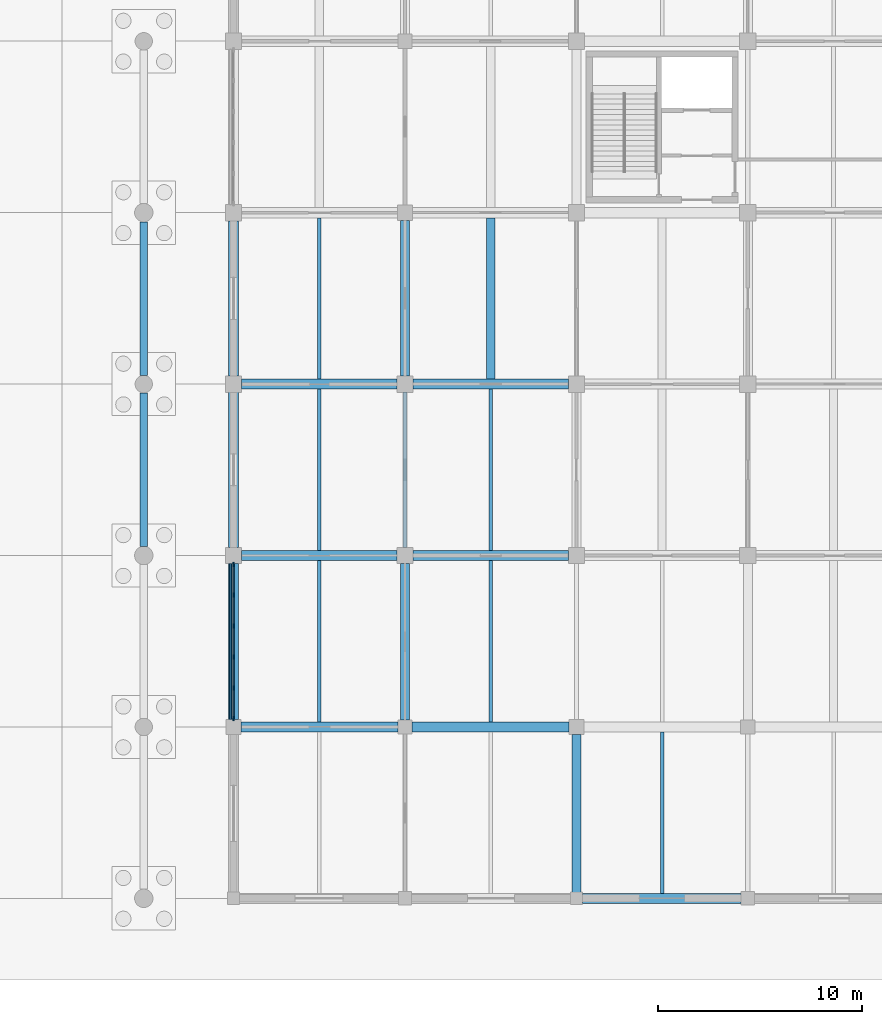
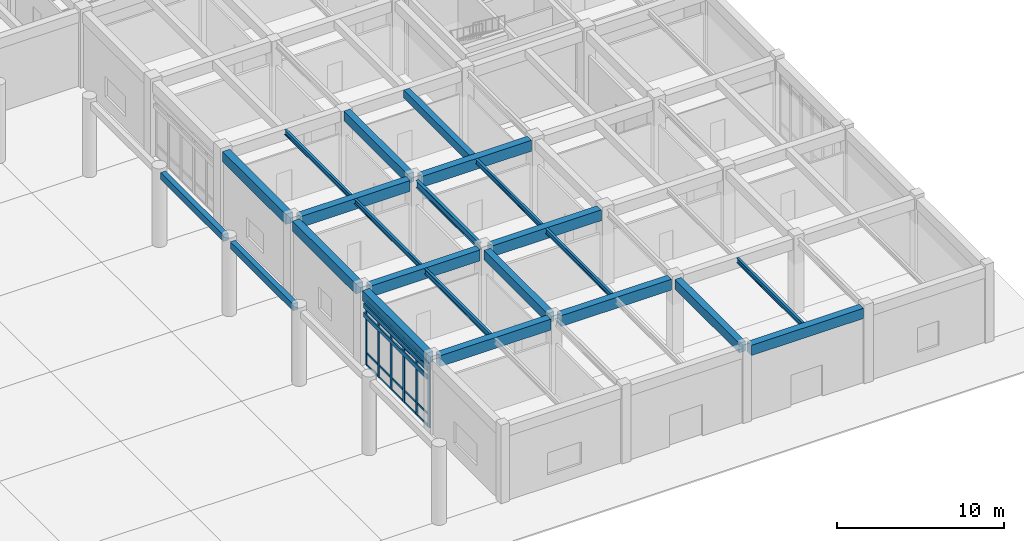
# One storey, part 33 of 91: 28 members, 23 beams, 1 element without a shape of its own.
"""IFC4 building model written with IfcOpenShell, lengths in metres."""

from ifc_helpers import new_model, si_unit, direction, frame, origin, origin_2d, place, context, subcontext, project, spatial, rectangle, i_section, extrude, material, layer, layer_set, material_profile, profile_set, type_object, element, aggregate, save


model = new_model("IFC4")

# Units and contexts
model_context = context("Model", 3, precision=1e-05, world=origin(), true_north=direction((0.0, 1.0)))
body_context = subcontext(model_context, "Body", "Model", "MODEL_VIEW")
ifc_project = project(units=[si_unit("LENGTHUNIT", "METRE"), si_unit("AREAUNIT", "SQUARE_METRE"), si_unit("VOLUMEUNIT", "CUBIC_METRE"), si_unit("PLANEANGLEUNIT", "RADIAN"), si_unit("MASSUNIT", "GRAM", prefix="KILO")], contexts=[model_context])

# Site, building, storey
site_placement = place(None, origin())
site = spatial("IfcSite", under=ifc_project, at=site_placement, CompositionType="ELEMENT")
building_placement = place(site_placement, origin())
building = spatial("IfcBuilding", under=site, at=building_placement, Name="Porcellanite Civic Hall", CompositionType="ELEMENT")
storey_placement = place(building_placement, origin())
storey = spatial("IfcBuildingStorey", under=building, at=storey_placement, Name="L00", CompositionType="ELEMENT", Elevation=0.0)

# Beams
ifc_material_1 = material(Name="Concrete N50 (50 MPa)", Category="concrete")
ifc_material_profile_1 = material_profile(ifc_material_1, rectangle(XDim=0.39990234375, YDim=0.60009765625, at=origin_2d()), Name="RC-400x600")
ifc_profile_set_1 = profile_set([ifc_material_profile_1], Name="Concrete N50 (50 MPa)")
beam_type_1 = type_object("IfcBeamType", Name="BM-RC600", PredefinedType="JOIST", material=ifc_profile_set_1)
beam_1_placement = place(storey_placement, frame((155.39990234375, 25.449462890625, 5.199951171875), z_axis=(0.0, 1.0, 0.0), x_axis=(-1.0, 0.0, 0.0)))
element("IfcBeam", 1, at=beam_1_placement, inside=storey, type_object=beam_type_1, Name="Secondary joist L00 19-4", PredefinedType="JOIST", context=body_context, shape_type="SweptSolid", body=[
    extrude(rectangle(XDim=0.39990234375, YDim=0.60009765625, at=origin_2d()), origin(), (0.0, 0.0, 1.0), 7.901123046875),
])
ifc_material_2 = material(Name="Concrete N50 (50 MPa)", Category="concrete")
ifc_material_profile_2 = material_profile(ifc_material_2, rectangle(XDim=0.449951171875, YDim=0.699951171875, at=origin_2d()), Name="RC-450x700")
ifc_profile_set_2 = profile_set([ifc_material_profile_2], Name="Concrete N50 (50 MPa)")
beam_type_2 = type_object("IfcBeamType", Name="BM-RC700", PredefinedType="BEAM", material=ifc_profile_set_2)
beam_2_placement = place(storey_placement, frame((151.199951171875, 8.74951171875, 5.14990234375), z_axis=(0.0, 1.0, 0.0), x_axis=(-1.0, 0.0, 0.0)))
element("IfcBeam", 2, at=beam_2_placement, inside=storey, type_object=beam_type_2, Name="Beam Y L00 19-2", PredefinedType="BEAM", context=body_context, shape_type="SweptSolid", body=[
    extrude(rectangle(XDim=0.449951171875, YDim=0.699951171875, at=origin_2d()), origin(), (0.0, 0.0, 1.0), 7.65087890625),
])
beam_3_placement = place(storey_placement, frame((151.199951171875, 25.599609375, 5.14990234375), z_axis=(0.0, 1.0, 0.0), x_axis=(-1.0, 0.0, 0.0)))
element("IfcBeam", 3, at=beam_3_placement, inside=storey, type_object=beam_type_2, Name="Beam Y L00 19-4", PredefinedType="BEAM", context=body_context, shape_type="SweptSolid", body=[
    extrude(rectangle(XDim=0.449951171875, YDim=0.699951171875, at=origin_2d()), origin(), (0.0, 0.0, 1.0), 7.6259765625),
])
beam_4_placement = place(storey_placement, frame((159.60009765625, 0.299560546875, 5.14990234375), z_axis=(0.0, 1.0, 0.0), x_axis=(-1.0, 0.0, 0.0)))
element("IfcBeam", 4, at=beam_4_placement, inside=storey, type_object=beam_type_2, Name="Beam Y L00 20-1", PredefinedType="BEAM", context=body_context, shape_type="SweptSolid", body=[
    extrude(rectangle(XDim=0.449951171875, YDim=0.699951171875, at=origin_2d()), origin(), (0.0, 0.0, 1.0), 7.725830078125),
])
ifc_material_3 = material(Name="Concrete N50 (50 MPa)", Category="concrete")
ifc_material_profile_3 = material_profile(ifc_material_3, rectangle(XDim=0.5, YDim=0.75, at=origin_2d()), Name="RC-500x750")
ifc_profile_set_3 = profile_set([ifc_material_profile_3], Name="Concrete N50 (50 MPa)")
beam_type_3 = type_object("IfcBeamType", Name="BM-RC750", PredefinedType="SPANDREL", material=ifc_profile_set_3)
beam_5_placement = place(storey_placement, frame((159.8994140625, 0.0, 5.125), z_axis=(1.0, 0.0, 0.0), x_axis=(0.0, 1.0, 0.0)))
element("IfcBeam", 5, at=beam_5_placement, inside=storey, type_object=beam_type_3, Name="Beam X L00 20-1", PredefinedType="SPANDREL", context=body_context, shape_type="SweptSolid", body=[
    extrude(rectangle(XDim=0.5, YDim=0.75, at=origin_2d()), origin(), (0.0, 0.0, 1.0), 7.776123046875),
])
beam_6_placement = place(storey_placement, frame((142.800048828125, 8.7744140625, 5.125), z_axis=(0.0, 1.0, 0.0), x_axis=(-1.0, 0.0, 0.0)))
element("IfcBeam", 6, at=beam_6_placement, inside=storey, type_object=beam_type_3, Name="Beam Y L00 18-2", PredefinedType="SPANDREL", context=body_context, shape_type="SweptSolid", body=[
    extrude(rectangle(XDim=0.5, YDim=0.75, at=origin_2d()), origin(), (0.0, 0.0, 1.0), 7.6259765625),
])
beam_7_placement = place(storey_placement, frame((142.800048828125, 17.199462890625, 5.125), z_axis=(0.0, 1.0, 0.0), x_axis=(-1.0, 0.0, 0.0)))
element("IfcBeam", 7, at=beam_7_placement, inside=storey, type_object=beam_type_3, Name="Beam Y L00 18-3", PredefinedType="SPANDREL", context=body_context, shape_type="SweptSolid", body=[
    extrude(rectangle(XDim=0.5, YDim=0.75, at=origin_2d()), origin(), (0.0, 0.0, 1.0), 7.60107421875),
])
beam_8_placement = place(storey_placement, frame((142.800048828125, 25.599609375, 5.125), z_axis=(0.0, 1.0, 0.0), x_axis=(-1.0, 0.0, 0.0)))
element("IfcBeam", 8, at=beam_8_placement, inside=storey, type_object=beam_type_3, Name="Beam Y L00 18-4", PredefinedType="SPANDREL", context=body_context, shape_type="SweptSolid", body=[
    extrude(rectangle(XDim=0.5, YDim=0.75, at=origin_2d()), origin(), (0.0, 0.0, 1.0), 7.600830078125),
])
ifc_material_4 = material(Name="Concrete N50 (50 MPa)", Category="concrete")
ifc_material_profile_4 = material_profile(ifc_material_4, rectangle(XDim=0.5, YDim=0.800048828125, at=origin_2d()), Name="RC-500x800")
ifc_profile_set_4 = profile_set([ifc_material_profile_4], Name="Concrete N50 (50 MPa)")
beam_type_4 = type_object("IfcBeamType", Name="BM-RC800", PredefinedType="BEAM", material=ifc_profile_set_4)
beam_9_placement = place(storey_placement, frame((143.174560546875, 8.39990234375, 5.10009765625), z_axis=(1.0, 0.0, 0.0), x_axis=(0.0, 1.0, 0.0)))
element("IfcBeam", 9, at=beam_9_placement, inside=storey, type_object=beam_type_4, Name="Beam X L00 18-2", PredefinedType="BEAM", context=body_context, shape_type="SweptSolid", body=[
    extrude(rectangle(XDim=0.5, YDim=0.800048828125, at=origin_2d()), origin(), (0.0, 0.0, 1.0), 7.676025390625),
])
for number, where, z_axis, x_axis, name in (
    (10, (143.199462890625, 16.800048828125, 5.10009765625), (1.0, 0.0, 0.0), (0.0, 1.0, 0.0), "Beam X L00 18-3"),
    (11, (143.199462890625, 25.199951171875, 5.10009765625), (1.0, 0.0, 0.0), (0.0, 1.0, 0.0), "Beam X L00 18-4"),
):
    element("IfcBeam", number, at=place(storey_placement, frame(where, z_axis=z_axis, x_axis=x_axis)), inside=storey, type_object=beam_type_4, Name=name, PredefinedType="BEAM", context=body_context, shape_type="SweptSolid", body=[
        extrude(rectangle(XDim=0.5, YDim=0.800048828125, at=origin_2d()), origin(), (0.0, 0.0, 1.0), 7.60107421875),
    ])
beam_10_placement = place(storey_placement, frame((151.549560546875, 8.39990234375, 5.10009765625), z_axis=(1.0, 0.0, 0.0), x_axis=(0.0, 1.0, 0.0)))
element("IfcBeam", 12, at=beam_10_placement, inside=storey, type_object=beam_type_4, Name="Beam X L00 19-2", PredefinedType="BEAM", context=body_context, shape_type="SweptSolid", body=[
    extrude(rectangle(XDim=0.5, YDim=0.800048828125, at=origin_2d()), origin(), (0.0, 0.0, 1.0), 7.676025390625),
])
for number, where, z_axis, x_axis, name in (
    (13, (151.599609375, 16.800048828125, 5.10009765625), (1.0, 0.0, 0.0), (0.0, 1.0, 0.0), "Beam X L00 19-3"),
    (14, (151.599609375, 25.199951171875, 5.10009765625), (1.0, 0.0, 0.0), (0.0, 1.0, 0.0), "Beam X L00 19-4"),
):
    element("IfcBeam", number, at=place(storey_placement, frame(where, z_axis=z_axis, x_axis=x_axis)), inside=storey, type_object=beam_type_4, Name=name, PredefinedType="BEAM", context=body_context, shape_type="SweptSolid", body=[
        extrude(rectangle(XDim=0.5, YDim=0.800048828125, at=origin_2d()), origin(), (0.0, 0.0, 1.0), 7.600830078125),
    ])

# Curtain wall, members
ifc_material_5 = material(Name="Anodised aluminium and solar laminated glass", Category="aluminium")
ifc_layer = layer(ifc_material_5, 0.179931640625)
ifc_layer_set = layer_set([ifc_layer], Name="Anodised aluminium and solar laminated glass")
curtain_wall_type = type_object("IfcCurtainWallType", Name="CW-SYS02", PredefinedType="NOTDEFINED", material=ifc_layer_set)
curtain_wall_placement = place(storey_placement, origin())
curtain_wall = element("IfcCurtainWall", 15, at=curtain_wall_placement, inside=storey, type_object=curtain_wall_type, Name="Curtain wall CW-049", PredefinedType="NOTDEFINED")
ifc_material_6 = material(Name="Anodised aluminium 6063-T6", Category="aluminium")
ifc_material_profile_5 = material_profile(ifc_material_6, rectangle(XDim=0.074951171875, YDim=0.219970703125, at=origin_2d()), Name="AL-75x220")
ifc_profile_set_5 = profile_set([ifc_material_profile_5], Name="Anodised aluminium 6063-T6")
member_type_1 = type_object("IfcMemberType", Name="CWM-03", PredefinedType="MULLION", material=ifc_profile_set_5)
member_1_placement = place(storey_placement, frame((142.800048828125, 8.8134765625, 0.0), z_axis=(0.0, 0.0, 1.0), x_axis=(-1.0, 0.0, 0.0)))
member_1 = element("IfcMember", 16, at=member_1_placement, type_object=member_type_1, Name="CW-049 mullion 1", PredefinedType="MULLION", context=body_context, shape_type="SweptSolid", body=[
    extrude(rectangle(XDim=0.074951171875, YDim=0.219970703125, at=origin_2d()), origin(), (0.0, 0.0, 1.0), 4.699951171875),
])
member_2_placement = place(storey_placement, frame((142.800048828125, 10.300537109375, 0.0), z_axis=(0.0, 0.0, 1.0), x_axis=(-1.0, 0.0, 0.0)))
member_2 = element("IfcMember", 17, at=member_2_placement, type_object=member_type_1, Name="CW-049 mullion 2", PredefinedType="MULLION", context=body_context, shape_type="SweptSolid", body=[
    extrude(rectangle(XDim=0.074951171875, YDim=0.219970703125, at=origin_2d()), origin(), (0.0, 0.0, 1.0), 4.699951171875),
])
member_3_placement = place(storey_placement, frame((142.800048828125, 11.8251953125, 0.0), z_axis=(0.0, 0.0, 1.0), x_axis=(-1.0, 0.0, 0.0)))
member_3 = element("IfcMember", 18, at=member_3_placement, type_object=member_type_1, Name="CW-049 mullion 3", PredefinedType="MULLION", context=body_context, shape_type="SweptSolid", body=[
    extrude(rectangle(XDim=0.074951171875, YDim=0.219970703125, at=origin_2d()), origin(), (0.0, 0.0, 1.0), 4.699951171875),
])
member_4_placement = place(storey_placement, frame((142.800048828125, 13.349853515625, 0.0), z_axis=(0.0, 0.0, 1.0), x_axis=(-1.0, 0.0, 0.0)))
member_4 = element("IfcMember", 19, at=member_4_placement, type_object=member_type_1, Name="CW-049 mullion 4", PredefinedType="MULLION", context=body_context, shape_type="SweptSolid", body=[
    extrude(rectangle(XDim=0.074951171875, YDim=0.219970703125, at=origin_2d()), origin(), (0.0, 0.0, 1.0), 4.699951171875),
])
member_5_placement = place(storey_placement, frame((142.800048828125, 14.87451171875, 0.0), z_axis=(0.0, 0.0, 1.0), x_axis=(-1.0, 0.0, 0.0)))
member_5 = element("IfcMember", 20, at=member_5_placement, type_object=member_type_1, Name="CW-049 mullion 5", PredefinedType="MULLION", context=body_context, shape_type="SweptSolid", body=[
    extrude(rectangle(XDim=0.074951171875, YDim=0.219970703125, at=origin_2d()), origin(), (0.0, 0.0, 1.0), 4.699951171875),
])
member_6_placement = place(storey_placement, frame((142.800048828125, 16.361572265625, 0.0), z_axis=(0.0, 0.0, 1.0), x_axis=(-1.0, 0.0, 0.0)))
member_6 = element("IfcMember", 21, at=member_6_placement, type_object=member_type_1, Name="CW-049 mullion 6", PredefinedType="MULLION", context=body_context, shape_type="SweptSolid", body=[
    extrude(rectangle(XDim=0.074951171875, YDim=0.219970703125, at=origin_2d()), origin(), (0.0, 0.0, 1.0), 4.699951171875),
])
ifc_material_7 = material(Name="Anodised aluminium 6063-T6", Category="aluminium")
ifc_material_profile_6 = material_profile(ifc_material_7, rectangle(XDim=0.06494140625, YDim=0.14990234375, at=origin_2d()), Name="AL-65x150")
ifc_profile_set_6 = profile_set([ifc_material_profile_6], Name="Anodised aluminium 6063-T6")
member_type_2 = type_object("IfcMemberType", Name="CWT-02", PredefinedType="USERDEFINED", material=ifc_profile_set_6)
member_7_placement = place(storey_placement, frame((142.800048828125, 8.85107421875, 0.032470703125), z_axis=(0.0, 1.0, 0.0), x_axis=(-1.0, 0.0, 0.0)))
member_7 = element("IfcMember", 22, at=member_7_placement, type_object=member_type_2, Name="CW-049 transom 1.1", ObjectType="TRANSOM", PredefinedType="USERDEFINED", context=body_context, shape_type="SweptSolid", body=[
    extrude(rectangle(XDim=0.06494140625, YDim=0.14990234375, at=origin_2d()), origin(), (0.0, 0.0, 1.0), 1.412109375),
])
member_8_placement = place(storey_placement, frame((142.800048828125, 8.85107421875, 0.89990234375), z_axis=(0.0, 1.0, 0.0), x_axis=(-1.0, 0.0, 0.0)))
member_8 = element("IfcMember", 23, at=member_8_placement, type_object=member_type_2, Name="CW-049 transom 1.2", ObjectType="TRANSOM", PredefinedType="USERDEFINED", context=body_context, shape_type="SweptSolid", body=[
    extrude(rectangle(XDim=0.06494140625, YDim=0.14990234375, at=origin_2d()), origin(), (0.0, 0.0, 1.0), 1.412109375),
])
member_9_placement = place(storey_placement, frame((142.800048828125, 8.85107421875, 4.050048828125), z_axis=(0.0, 1.0, 0.0), x_axis=(-1.0, 0.0, 0.0)))
member_9 = element("IfcMember", 24, at=member_9_placement, type_object=member_type_2, Name="CW-049 transom 1.3", ObjectType="TRANSOM", PredefinedType="USERDEFINED", context=body_context, shape_type="SweptSolid", body=[
    extrude(rectangle(XDim=0.06494140625, YDim=0.14990234375, at=origin_2d()), origin(), (0.0, 0.0, 1.0), 1.412109375),
])
member_10_placement = place(storey_placement, frame((142.800048828125, 8.85107421875, 4.66748046875), z_axis=(0.0, 1.0, 0.0), x_axis=(-1.0, 0.0, 0.0)))
member_10 = element("IfcMember", 25, at=member_10_placement, type_object=member_type_2, Name="CW-049 transom 1.4", ObjectType="TRANSOM", PredefinedType="USERDEFINED", context=body_context, shape_type="SweptSolid", body=[
    extrude(rectangle(XDim=0.06494140625, YDim=0.14990234375, at=origin_2d()), origin(), (0.0, 0.0, 1.0), 1.412109375),
])
member_11_placement = place(storey_placement, frame((142.800048828125, 10.338134765625, 0.032470703125), z_axis=(0.0, 1.0, 0.0), x_axis=(-1.0, 0.0, 0.0)))
member_11 = element("IfcMember", 26, at=member_11_placement, type_object=member_type_2, Name="CW-049 transom 2.1", ObjectType="TRANSOM", PredefinedType="USERDEFINED", context=body_context, shape_type="SweptSolid", body=[
    extrude(rectangle(XDim=0.06494140625, YDim=0.14990234375, at=origin_2d()), origin(), (0.0, 0.0, 1.0), 1.449462890625),
])
member_12_placement = place(storey_placement, frame((142.800048828125, 10.338134765625, 0.89990234375), z_axis=(0.0, 1.0, 0.0), x_axis=(-1.0, 0.0, 0.0)))
member_12 = element("IfcMember", 27, at=member_12_placement, type_object=member_type_2, Name="CW-049 transom 2.2", ObjectType="TRANSOM", PredefinedType="USERDEFINED", context=body_context, shape_type="SweptSolid", body=[
    extrude(rectangle(XDim=0.06494140625, YDim=0.14990234375, at=origin_2d()), origin(), (0.0, 0.0, 1.0), 1.449462890625),
])
member_13_placement = place(storey_placement, frame((142.800048828125, 10.338134765625, 4.050048828125), z_axis=(0.0, 1.0, 0.0), x_axis=(-1.0, 0.0, 0.0)))
member_13 = element("IfcMember", 28, at=member_13_placement, type_object=member_type_2, Name="CW-049 transom 2.3", ObjectType="TRANSOM", PredefinedType="USERDEFINED", context=body_context, shape_type="SweptSolid", body=[
    extrude(rectangle(XDim=0.06494140625, YDim=0.14990234375, at=origin_2d()), origin(), (0.0, 0.0, 1.0), 1.449462890625),
])
member_14_placement = place(storey_placement, frame((142.800048828125, 10.338134765625, 4.66748046875), z_axis=(0.0, 1.0, 0.0), x_axis=(-1.0, 0.0, 0.0)))
member_14 = element("IfcMember", 29, at=member_14_placement, type_object=member_type_2, Name="CW-049 transom 2.4", ObjectType="TRANSOM", PredefinedType="USERDEFINED", context=body_context, shape_type="SweptSolid", body=[
    extrude(rectangle(XDim=0.06494140625, YDim=0.14990234375, at=origin_2d()), origin(), (0.0, 0.0, 1.0), 1.449462890625),
])
member_15_placement = place(storey_placement, frame((142.800048828125, 11.86279296875, 0.032470703125), z_axis=(0.0, 1.0, 0.0), x_axis=(-1.0, 0.0, 0.0)))
member_15 = element("IfcMember", 30, at=member_15_placement, type_object=member_type_2, Name="CW-049 transom 3.1", ObjectType="TRANSOM", PredefinedType="USERDEFINED", context=body_context, shape_type="SweptSolid", body=[
    extrude(rectangle(XDim=0.06494140625, YDim=0.14990234375, at=origin_2d()), origin(), (0.0, 0.0, 1.0), 1.449462890625),
])
member_16_placement = place(storey_placement, frame((142.800048828125, 11.86279296875, 0.89990234375), z_axis=(0.0, 1.0, 0.0), x_axis=(-1.0, 0.0, 0.0)))
member_16 = element("IfcMember", 31, at=member_16_placement, type_object=member_type_2, Name="CW-049 transom 3.2", ObjectType="TRANSOM", PredefinedType="USERDEFINED", context=body_context, shape_type="SweptSolid", body=[
    extrude(rectangle(XDim=0.06494140625, YDim=0.14990234375, at=origin_2d()), origin(), (0.0, 0.0, 1.0), 1.449462890625),
])
member_17_placement = place(storey_placement, frame((142.800048828125, 11.86279296875, 4.050048828125), z_axis=(0.0, 1.0, 0.0), x_axis=(-1.0, 0.0, 0.0)))
member_17 = element("IfcMember", 32, at=member_17_placement, type_object=member_type_2, Name="CW-049 transom 3.3", ObjectType="TRANSOM", PredefinedType="USERDEFINED", context=body_context, shape_type="SweptSolid", body=[
    extrude(rectangle(XDim=0.06494140625, YDim=0.14990234375, at=origin_2d()), origin(), (0.0, 0.0, 1.0), 1.449462890625),
])
member_18_placement = place(storey_placement, frame((142.800048828125, 11.86279296875, 4.66748046875), z_axis=(0.0, 1.0, 0.0), x_axis=(-1.0, 0.0, 0.0)))
member_18 = element("IfcMember", 33, at=member_18_placement, type_object=member_type_2, Name="CW-049 transom 3.4", ObjectType="TRANSOM", PredefinedType="USERDEFINED", context=body_context, shape_type="SweptSolid", body=[
    extrude(rectangle(XDim=0.06494140625, YDim=0.14990234375, at=origin_2d()), origin(), (0.0, 0.0, 1.0), 1.449462890625),
])
member_19_placement = place(storey_placement, frame((142.800048828125, 13.38720703125, 0.032470703125), z_axis=(0.0, 1.0, 0.0), x_axis=(-1.0, 0.0, 0.0)))
member_19 = element("IfcMember", 34, at=member_19_placement, type_object=member_type_2, Name="CW-049 transom 4.1", ObjectType="TRANSOM", PredefinedType="USERDEFINED", context=body_context, shape_type="SweptSolid", body=[
    extrude(rectangle(XDim=0.06494140625, YDim=0.14990234375, at=origin_2d()), origin(), (0.0, 0.0, 1.0), 1.44970703125),
])
member_20_placement = place(storey_placement, frame((142.800048828125, 13.38720703125, 0.89990234375), z_axis=(0.0, 1.0, 0.0), x_axis=(-1.0, 0.0, 0.0)))
member_20 = element("IfcMember", 35, at=member_20_placement, type_object=member_type_2, Name="CW-049 transom 4.2", ObjectType="TRANSOM", PredefinedType="USERDEFINED", context=body_context, shape_type="SweptSolid", body=[
    extrude(rectangle(XDim=0.06494140625, YDim=0.14990234375, at=origin_2d()), origin(), (0.0, 0.0, 1.0), 1.44970703125),
])
member_21_placement = place(storey_placement, frame((142.800048828125, 13.38720703125, 4.050048828125), z_axis=(0.0, 1.0, 0.0), x_axis=(-1.0, 0.0, 0.0)))
member_21 = element("IfcMember", 36, at=member_21_placement, type_object=member_type_2, Name="CW-049 transom 4.3", ObjectType="TRANSOM", PredefinedType="USERDEFINED", context=body_context, shape_type="SweptSolid", body=[
    extrude(rectangle(XDim=0.06494140625, YDim=0.14990234375, at=origin_2d()), origin(), (0.0, 0.0, 1.0), 1.44970703125),
])
member_22_placement = place(storey_placement, frame((142.800048828125, 13.38720703125, 4.66748046875), z_axis=(0.0, 1.0, 0.0), x_axis=(-1.0, 0.0, 0.0)))
member_22 = element("IfcMember", 37, at=member_22_placement, type_object=member_type_2, Name="CW-049 transom 4.4", ObjectType="TRANSOM", PredefinedType="USERDEFINED", context=body_context, shape_type="SweptSolid", body=[
    extrude(rectangle(XDim=0.06494140625, YDim=0.14990234375, at=origin_2d()), origin(), (0.0, 0.0, 1.0), 1.44970703125),
])
member_23_placement = place(storey_placement, frame((142.800048828125, 14.911865234375, 0.032470703125), z_axis=(0.0, 1.0, 0.0), x_axis=(-1.0, 0.0, 0.0)))
member_23 = element("IfcMember", 38, at=member_23_placement, type_object=member_type_2, Name="CW-049 transom 5.1", ObjectType="TRANSOM", PredefinedType="USERDEFINED", context=body_context, shape_type="SweptSolid", body=[
    extrude(rectangle(XDim=0.06494140625, YDim=0.14990234375, at=origin_2d()), origin(), (0.0, 0.0, 1.0), 1.412109375),
])
member_24_placement = place(storey_placement, frame((142.800048828125, 14.911865234375, 0.89990234375), z_axis=(0.0, 1.0, 0.0), x_axis=(-1.0, 0.0, 0.0)))
member_24 = element("IfcMember", 39, at=member_24_placement, type_object=member_type_2, Name="CW-049 transom 5.2", ObjectType="TRANSOM", PredefinedType="USERDEFINED", context=body_context, shape_type="SweptSolid", body=[
    extrude(rectangle(XDim=0.06494140625, YDim=0.14990234375, at=origin_2d()), origin(), (0.0, 0.0, 1.0), 1.412109375),
])
member_25_placement = place(storey_placement, frame((142.800048828125, 14.911865234375, 4.050048828125), z_axis=(0.0, 1.0, 0.0), x_axis=(-1.0, 0.0, 0.0)))
member_25 = element("IfcMember", 40, at=member_25_placement, type_object=member_type_2, Name="CW-049 transom 5.3", ObjectType="TRANSOM", PredefinedType="USERDEFINED", context=body_context, shape_type="SweptSolid", body=[
    extrude(rectangle(XDim=0.06494140625, YDim=0.14990234375, at=origin_2d()), origin(), (0.0, 0.0, 1.0), 1.412109375),
])
member_26_placement = place(storey_placement, frame((142.800048828125, 14.911865234375, 4.66748046875), z_axis=(0.0, 1.0, 0.0), x_axis=(-1.0, 0.0, 0.0)))
member_26 = element("IfcMember", 41, at=member_26_placement, type_object=member_type_2, Name="CW-049 transom 5.4", ObjectType="TRANSOM", PredefinedType="USERDEFINED", context=body_context, shape_type="SweptSolid", body=[
    extrude(rectangle(XDim=0.06494140625, YDim=0.14990234375, at=origin_2d()), origin(), (0.0, 0.0, 1.0), 1.412109375),
])
aggregate(curtain_wall, [member_1, member_2, member_3, member_4, member_5, member_6, member_7, member_8, member_9, member_10, member_11, member_12, member_13, member_14, member_15, member_16, member_17, member_18, member_19, member_20, member_21, member_22, member_23, member_24, member_25, member_26])

# Beams
ifc_material_8 = material(Name="Steel Grade 350", Category="steel")
ifc_material_profile_7 = material_profile(ifc_material_8, i_section(OverallWidth=0.1708984375, OverallDepth=0.35595703125, WebThickness=0.00732421875, FlangeThickness=0.011474609375, FilletRadius=0.011474609375, at=origin_2d()), Name="360UB50.7")
ifc_profile_set_7 = profile_set([ifc_material_profile_7], Name="Steel Grade 350")
beam_type_5 = type_object("IfcBeamType", Name="JST-360UB51", PredefinedType="JOIST", material=ifc_profile_set_7)
beam_11_placement = place(storey_placement, frame((147.0, 25.449462890625, 5.322021484375), z_axis=(0.0, 1.0, 0.0), x_axis=(-1.0, 0.0, 0.0)))
element("IfcBeam", 42, at=beam_11_placement, inside=storey, type_object=beam_type_5, Name="Secondary joist L00 18-4", PredefinedType="JOIST", context=body_context, shape_type="SweptSolid", body=[
    extrude(i_section(OverallWidth=0.1708984375, OverallDepth=0.35595703125, WebThickness=0.00732421875, FlangeThickness=0.011474609375, FilletRadius=0.011474609375, at=origin_2d()), origin(), (0.0, 0.0, 1.0), 7.901123046875),
])
beam_12_placement = place(storey_placement, frame((155.39990234375, 17.049560546875, 5.322021484375), z_axis=(0.0, 1.0, 0.0), x_axis=(-1.0, 0.0, 0.0)))
element("IfcBeam", 43, at=beam_12_placement, inside=storey, type_object=beam_type_5, Name="Secondary joist L00 19-3", PredefinedType="JOIST", context=body_context, shape_type="SweptSolid", body=[
    extrude(i_section(OverallWidth=0.1708984375, OverallDepth=0.35595703125, WebThickness=0.00732421875, FlangeThickness=0.011474609375, FilletRadius=0.011474609375, at=origin_2d()), origin(), (0.0, 0.0, 1.0), 7.90087890625),
])
ifc_material_9 = material(Name="Steel Grade 350", Category="steel")
ifc_material_profile_8 = material_profile(ifc_material_9, i_section(OverallWidth=0.172119140625, OverallDepth=0.35888671875, WebThickness=0.008056640625, FlangeThickness=0.012939453125, FilletRadius=0.011474609375, at=origin_2d()), Name="360UB56.7")
ifc_profile_set_8 = profile_set([ifc_material_profile_8], Name="Steel Grade 350")
beam_type_6 = type_object("IfcBeamType", Name="JST-360UB57", PredefinedType="JOIST", material=ifc_profile_set_8)
beam_13_placement = place(storey_placement, frame((147.0, 17.049560546875, 5.320556640625), z_axis=(0.0, 1.0, 0.0), x_axis=(-1.0, 0.0, 0.0)))
element("IfcBeam", 44, at=beam_13_placement, inside=storey, type_object=beam_type_6, Name="Secondary joist L00 18-3", PredefinedType="JOIST", context=body_context, shape_type="SweptSolid", body=[
    extrude(i_section(OverallWidth=0.172119140625, OverallDepth=0.35888671875, WebThickness=0.008056640625, FlangeThickness=0.012939453125, FilletRadius=0.011474609375, at=origin_2d()), origin(), (0.0, 0.0, 1.0), 7.90087890625),
])
beam_14_placement = place(storey_placement, frame((155.39990234375, 8.6494140625, 5.320556640625), z_axis=(0.0, 1.0, 0.0), x_axis=(-1.0, 0.0, 0.0)))
element("IfcBeam", 45, at=beam_14_placement, inside=storey, type_object=beam_type_6, Name="Secondary joist L00 19-2", PredefinedType="JOIST", context=body_context, shape_type="SweptSolid", body=[
    extrude(i_section(OverallWidth=0.172119140625, OverallDepth=0.35888671875, WebThickness=0.008056640625, FlangeThickness=0.012939453125, FilletRadius=0.011474609375, at=origin_2d()), origin(), (0.0, 0.0, 1.0), 7.901123046875),
])
beam_15_placement = place(storey_placement, frame((163.800048828125, 0.24951171875, 5.320556640625), z_axis=(0.0, 1.0, 0.0), x_axis=(-1.0, 0.0, 0.0)))
element("IfcBeam", 46, at=beam_15_placement, inside=storey, type_object=beam_type_6, Name="Secondary joist L00 20-1", PredefinedType="JOIST", context=body_context, shape_type="SweptSolid", body=[
    extrude(i_section(OverallWidth=0.172119140625, OverallDepth=0.35888671875, WebThickness=0.008056640625, FlangeThickness=0.012939453125, FilletRadius=0.011474609375, at=origin_2d()), origin(), (0.0, 0.0, 1.0), 7.90087890625),
])
ifc_material_10 = material(Name="Steel Grade 350", Category="steel")
ifc_material_profile_9 = material_profile(ifc_material_10, i_section(OverallWidth=0.177978515625, OverallDepth=0.403076171875, WebThickness=0.007568359375, FlangeThickness=0.010986328125, FilletRadius=0.011474609375, at=origin_2d()), Name="410UB53.7")
ifc_profile_set_9 = profile_set([ifc_material_profile_9], Name="Steel Grade 350")
beam_type_7 = type_object("IfcBeamType", Name="JST-410UB54", PredefinedType="JOIST", material=ifc_profile_set_9)
beam_16_placement = place(storey_placement, frame((147.0, 8.6494140625, 5.298583984375), z_axis=(0.0, 1.0, 0.0), x_axis=(-1.0, 0.0, 0.0)))
element("IfcBeam", 47, at=beam_16_placement, inside=storey, type_object=beam_type_7, Name="Secondary joist L00 18-2", PredefinedType="JOIST", context=body_context, shape_type="SweptSolid", body=[
    extrude(i_section(OverallWidth=0.177978515625, OverallDepth=0.403076171875, WebThickness=0.007568359375, FlangeThickness=0.010986328125, FilletRadius=0.011474609375, at=origin_2d()), origin(), (0.0, 0.0, 1.0), 7.901123046875),
])
ifc_material_11 = material(Name="Concrete N50 (50 MPa)", Category="concrete")
ifc_material_profile_10 = material_profile(ifc_material_11, rectangle(XDim=0.35009765625, YDim=0.5, at=origin_2d()), Name="RC-350x500")
ifc_profile_set_10 = profile_set([ifc_material_profile_10], Name="Concrete N50 (50 MPa)")
beam_type_8 = type_object("IfcBeamType", Name="LN-RC500", PredefinedType="LINTEL", material=ifc_profile_set_10)
for number, where, z_axis, x_axis, name in (
    (48, (138.39990234375, 17.24951171875, 5.260009765625), (0.0, 1.0, 0.0), (-1.0, 0.0, 0.0), "Colonnade keystone beam L00 COL-E-P03"),
    (49, (138.39990234375, 25.62451171875, 5.260009765625), (0.0, 1.0, 0.0), (-1.0, 0.0, 0.0), "Colonnade keystone beam L00 COL-E-P04"),
):
    element("IfcBeam", number, at=place(storey_placement, frame(where, z_axis=z_axis, x_axis=x_axis)), inside=storey, type_object=beam_type_8, Name=name, PredefinedType="LINTEL", context=body_context, shape_type="SweptSolid", body=[
        extrude(rectangle(XDim=0.35009765625, YDim=0.5, at=origin_2d()), origin(), (0.0, 0.0, 1.0), 7.52587890625),
    ])

# Members
ifc_material_12 = material(Name="Fluoropolymer bauxite-red aluminium 6063-T6", Category="aluminium")
ifc_material_profile_11 = material_profile(ifc_material_12, rectangle(XDim=0.080078125, YDim=0.320068359375, at=origin_2d()), Name="AL-80x320")
ifc_profile_set_11 = profile_set([ifc_material_profile_11], Name="Fluoropolymer bauxite-red aluminium 6063-T6")
member_type_3 = type_object("IfcMemberType", Name="LV-BLD03", PredefinedType="USERDEFINED", material=ifc_profile_set_11)
for number, where, z_axis, x_axis, name in (
    (50, (142.64794921875, 8.7744140625, 4.39990234375), (0.0, 1.0, 0.0), (-1.0, 0.0, 0.0), "Cyclone sunshade louvre L00 W 17-1 1"),
    (51, (142.64794921875, 8.7744140625, 3.75), (0.0, 1.0, 0.0), (-1.0, 0.0, 0.0), "Cyclone sunshade louvre L00 W 17-1 2"),
):
    element("IfcMember", number, at=place(storey_placement, frame(where, z_axis=z_axis, x_axis=x_axis)), inside=storey, type_object=member_type_3, Name=name, ObjectType="LOUVRE BLADE", PredefinedType="USERDEFINED", context=body_context, shape_type="SweptSolid", body=[
        extrude(rectangle(XDim=0.080078125, YDim=0.320068359375, at=origin_2d()), origin(), (0.0, 0.0, 1.0), 7.6259765625),
    ])

# Beam
ifc_material_13 = material(Name="Steel Grade 350", Category="steel")
ifc_material_profile_12 = material_profile(ifc_material_13, i_section(OverallWidth=0.208984375, OverallDepth=0.528076171875, WebThickness=0.009521484375, FlangeThickness=0.01318359375, FilletRadius=0.013916015625, at=origin_2d()), Name="530UB82.0")
ifc_profile_set_12 = profile_set([ifc_material_profile_12], Name="Steel Grade 350")
beam_type_9 = type_object("IfcBeamType", Name="RAF-530UB82", PredefinedType="BEAM", material=ifc_profile_set_12)
beam_17_placement = place(storey_placement, frame((151.199951171875, 17.199462890625, 5.236083984375), z_axis=(0.0, 1.0, 0.0), x_axis=(-1.0, 0.0, 0.0)))
element("IfcBeam", 52, at=beam_17_placement, inside=storey, type_object=beam_type_9, Name="Beam Y L00 19-3", PredefinedType="BEAM", context=body_context, shape_type="SweptSolid", body=[
    extrude(i_section(OverallWidth=0.208984375, OverallDepth=0.528076171875, WebThickness=0.009521484375, FlangeThickness=0.01318359375, FilletRadius=0.013916015625, at=origin_2d()), origin(), (0.0, 0.0, 1.0), 7.60107421875),
])

save(model, "model.ifc")
